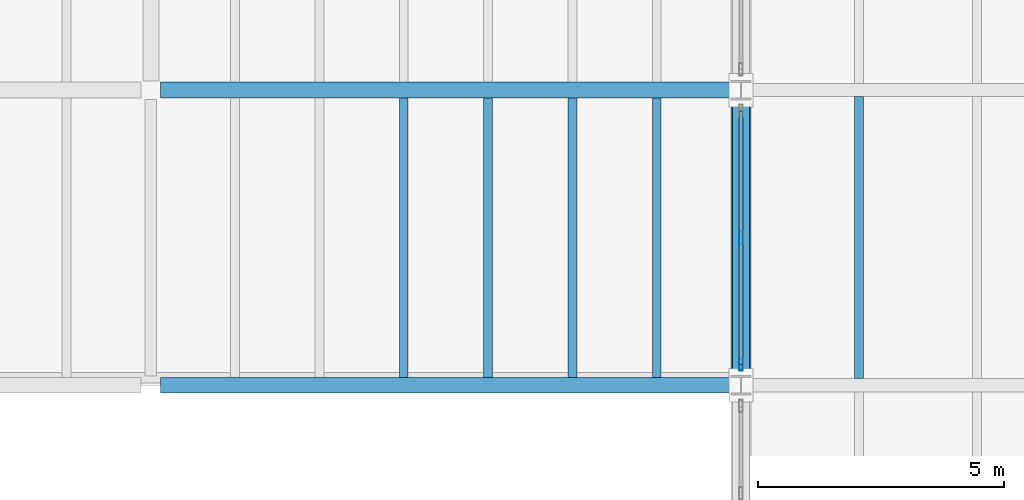
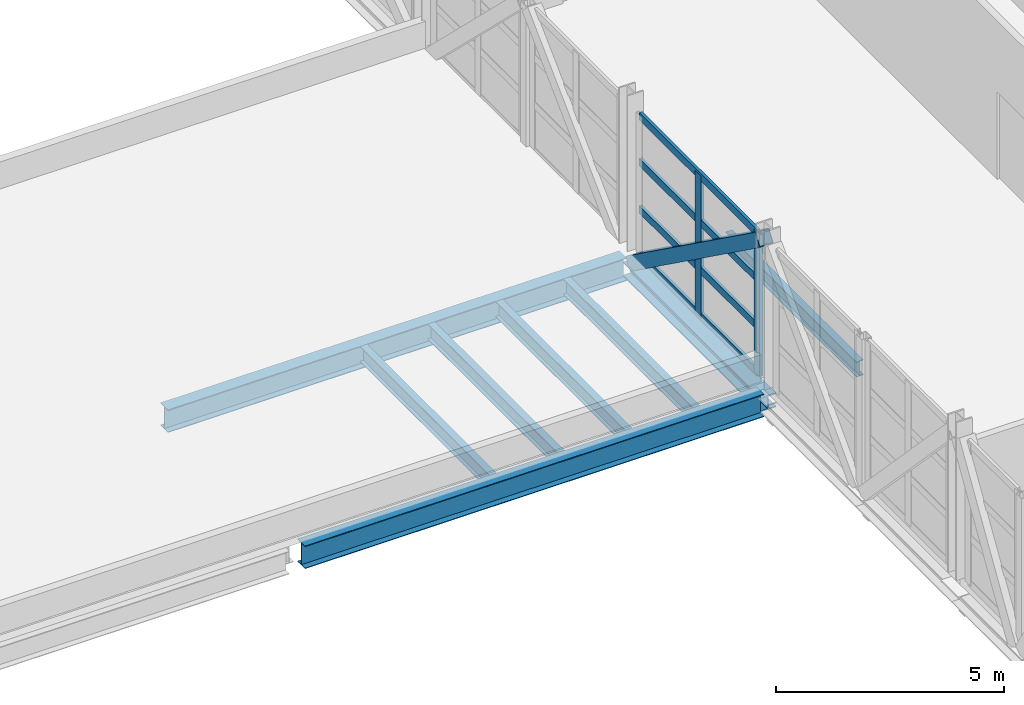
# One storey, part 10 of 63: 8 beams, 7 members, 1 element without a shape of its own.
"""IFC4 building model written with IfcOpenShell, lengths in metres."""

import ifcopenshell
import ifcopenshell.guid

model = None  # the IFC model being written
_history = None  # IfcOwnerHistory: only IFC2X3 demands one
_inside = {}  # id of a spatial element -> (the spatial element, [elements in it])
_under = {}  # id of a project, library or spatial element -> (it, [spatial elements below it])
_declared = {}  # id of a project -> (the project, [libraries it declares])
_typed = {}  # id of a type object -> (the type object, [elements of that type])
_made_of = {}  # id of a material, layer set ... -> (it, [elements and type objects made of it])


def new_model(schema):
    """Start an empty IFC model of exactly this schema.

    Asked for "IFC4X3", IfcOpenShell would pick the latest addendum, in which some entities
    have other attributes; the version numbers below select the first issue.
    IFC2X3 requires an IfcOwnerHistory on every rooted entity: one is made here for all.
    """
    global model, _history
    if schema == "IFC4X3":
        model = ifcopenshell.file(schema_version=(4, 3, 0, 0))
    else:
        model = ifcopenshell.file(schema=schema)
    _inside.clear()
    _under.clear()
    _declared.clear()
    _typed.clear()
    _made_of.clear()
    _history = None
    if model.schema == "IFC2X3":
        org = make("IfcOrganization", Name="unknown")
        user = make(
            "IfcPersonAndOrganization",
            ThePerson=make("IfcPerson", FamilyName="unknown"),
            TheOrganization=org,
        )
        app = make(
            "IfcApplication",
            ApplicationDeveloper=org,
            Version="unknown",
            ApplicationFullName="unknown",
            ApplicationIdentifier="unknown",
        )
        _history = make(
            "IfcOwnerHistory",
            OwningUser=user,
            OwningApplication=app,
            ChangeAction="ADDED",
            CreationDate=0,
        )
    return model


def make(cls, **values):
    """One entity of the class cls with the attributes given. An attribute that is None is left unset."""
    return model.create_entity(
        cls, **{name: value for name, value in values.items() if value is not None}
    )


def rooted(cls, **values):
    """An entity with a GlobalId (a new one), such as an element, a storey or a relation."""
    return make(cls, GlobalId=ifcopenshell.guid.new(), OwnerHistory=_history, **values)


def si_unit(unit_type, name, prefix=None):
    """IfcSIUnit, for example si_unit("LENGTHUNIT", "METRE", prefix="MILLI")."""
    return make("IfcSIUnit", UnitType=unit_type, Prefix=prefix, Name=name)


def assignment(units):
    """IfcUnitAssignment: the units of a project."""
    return None if units is None else make("IfcUnitAssignment", Units=units)


def point(xyz):
    """IfcCartesianPoint."""
    return None if xyz is None else make("IfcCartesianPoint", Coordinates=xyz)


def direction(xyz):
    """IfcDirection."""
    return None if xyz is None else make("IfcDirection", DirectionRatios=xyz)


def frame(location, z_axis=None, x_axis=None):
    """IfcAxis2Placement3D, a coordinate frame: its origin and axes. An axis left out is left unset."""
    return make(
        "IfcAxis2Placement3D",
        Location=point(location),
        Axis=direction(z_axis),
        RefDirection=direction(x_axis),
    )


def frame_2d(location, x_axis=None):
    """IfcAxis2Placement2D, a coordinate frame in the plane: its origin and x axis."""
    return make(
        "IfcAxis2Placement2D", Location=point(location), RefDirection=direction(x_axis)
    )


def origin():
    """The frame at (0, 0, 0) with its axes left unset."""
    return frame((0.0, 0.0, 0.0))


def origin_2d():
    """The frame at (0, 0) in the plane with its x axis left unset."""
    return frame_2d((0.0, 0.0))


def place(relative_to, where):
    """IfcLocalPlacement: puts the frame where relative to a parent placement (None: the world)."""
    return make(
        "IfcLocalPlacement", PlacementRelTo=relative_to, RelativePlacement=where
    )


def context(
    kind, dimensions, precision=None, world=None, true_north=None, identifier=None
):
    """IfcGeometricRepresentationContext, for example the 3D "Model" context."""
    return make(
        "IfcGeometricRepresentationContext",
        ContextIdentifier=identifier,
        ContextType=kind,
        CoordinateSpaceDimension=dimensions,
        Precision=precision,
        WorldCoordinateSystem=world,
        TrueNorth=true_north,
    )


def subcontext(parent, identifier, kind, view, scale=None):
    """IfcGeometricRepresentationSubContext, for example "Body" below "Model"."""
    return make(
        "IfcGeometricRepresentationSubContext",
        ContextIdentifier=identifier,
        ContextType=kind,
        ParentContext=parent,
        TargetScale=scale,
        TargetView=view,
    )


def project(units=None, contexts=None):
    """IfcProject with its units and contexts."""
    return rooted(
        "IfcProject",
        Name="project",
        RepresentationContexts=contexts,
        UnitsInContext=assignment(units),
    )


def spatial(cls, under=None, at=None, **own):
    """A site, building, storey or space (cls), placed at a placement, below another one or the project."""
    s = rooted(cls, ObjectPlacement=at, **own)
    if under is not None:
        _under.setdefault(under.id(), (under, []))[1].append(s)
    return s


def profile(cls, at=None, kind="AREA", **sizes):
    """A parametric profile (cls). Its sizes go by their IFC names, for example OverallWidth=200.0."""
    return make(cls, ProfileType=kind, Position=at, **sizes)


def hollow_rectangle(**sizes):
    """IfcRectangleHollowProfileDef."""
    return profile("IfcRectangleHollowProfileDef", **sizes)


def i_section(**sizes):
    """IfcIShapeProfileDef."""
    return profile("IfcIShapeProfileDef", **sizes)


def extrude(swept, where, along, depth):
    """IfcExtrudedAreaSolid: the profile swept, set in the frame where, extruded along a direction by depth."""
    return make(
        "IfcExtrudedAreaSolid",
        SweptArea=swept,
        Position=where,
        ExtrudedDirection=direction(along),
        Depth=depth,
    )


def shape(context_of_items, identifier, shape_type, items):
    """IfcShapeRepresentation: the items that make up one representation, for example the "Body"."""
    return make(
        "IfcShapeRepresentation",
        ContextOfItems=context_of_items,
        RepresentationIdentifier=identifier,
        RepresentationType=shape_type,
        Items=items,
    )


def material(Name=None, Category=None):
    """IfcMaterial."""
    return make("IfcMaterial", Name=Name, Category=Category)


def material_profile(
    of_material, cross_section, Name=None, Category=None, Priority=None
):
    """IfcMaterialProfile: a cross section and its material."""
    return make(
        "IfcMaterialProfile",
        Name=Name,
        Material=of_material,
        Profile=cross_section,
        Priority=Priority,
        Category=Category,
    )


def profile_set(profiles, Name=None, composite=None):
    """IfcMaterialProfileSet."""
    return make(
        "IfcMaterialProfileSet",
        Name=Name,
        MaterialProfiles=profiles,
        CompositeProfile=composite,
    )


def made_of(thing, what):
    """Note that an element or type object is made of a material, layer set ...; save() writes the relation."""
    if what is not None:
        _made_of.setdefault(what.id(), (what, []))[1].append(thing)
    return thing


def type_object(cls, material=None, **own):
    """A type object (cls), such as IfcWallType, which elements share."""
    return made_of(rooted(cls, **own), material)


def element(
    cls,
    number,
    at=None,
    inside=None,
    cuts=None,
    type_object=None,
    material=None,
    context=None,
    identifier="Body",
    shape_type=None,
    held_by="IfcProductDefinitionShape",
    body=None,
    shapes=None,
    **own,
):
    """One element of the class cls, such as IfcWall. Its Tag is "e" and its number.

    at: its placement. inside: the storey or other place that contains it. cuts: it is an
    opening in that element (IfcRelVoidsElement). A single representation is given by context,
    identifier, shape_type and body (its items); several are given by shapes. held_by: the class
    of the entity that holds the representations. save() writes the other relations.
    """
    e = rooted(cls, Tag="e%d" % number, ObjectPlacement=at, **own)
    if body is not None:
        shapes = [shape(context, identifier, shape_type, body)]
    if shapes is not None:
        e.Representation = make(held_by, Representations=shapes)
    if inside is not None:
        _inside.setdefault(inside.id(), (inside, []))[1].append(e)
    if cuts is not None:
        rooted(
            "IfcRelVoidsElement", RelatingBuildingElement=cuts, RelatedOpeningElement=e
        )
    if type_object is not None:
        _typed.setdefault(type_object.id(), (type_object, []))[1].append(e)
    return made_of(e, material)


def aggregate(whole, parts):
    """IfcRelAggregates: a whole, such as a stair, and the parts it consists of."""
    return rooted("IfcRelAggregates", RelatingObject=whole, RelatedObjects=parts)


def save(model, path):
    """Write the relations noted so far, then the file.

    IfcRelAggregates (storeys below a building ...), IfcRelContainedInSpatialStructure (elements
    in a storey), IfcRelDefinesByType, IfcRelAssociatesMaterial and IfcRelDeclares: one each for
    every whole, place, type object, material and project.
    """
    for whole, parts in _under.values():
        aggregate(whole, parts)
    for where, things in _inside.values():
        rooted(
            "IfcRelContainedInSpatialStructure",
            RelatedElements=things,
            RelatingStructure=where,
        )
    for kind, things in _typed.values():
        rooted("IfcRelDefinesByType", RelatedObjects=things, RelatingType=kind)
    for what, things in _made_of.values():
        rooted("IfcRelAssociatesMaterial", RelatedObjects=things, RelatingMaterial=what)
    for by, libraries in _declared.values():
        rooted("IfcRelDeclares", RelatingContext=by, RelatedDefinitions=libraries)
    model.write(path)


model = new_model("IFC4")

# Units and contexts
model_context = context("Model", 3, precision=1e-05, world=origin(), true_north=direction((0.0, 1.0)))
body_context = subcontext(model_context, "Body", "Model", "MODEL_VIEW")
ifc_project = project(units=[si_unit("LENGTHUNIT", "METRE"), si_unit("AREAUNIT", "SQUARE_METRE"), si_unit("VOLUMEUNIT", "CUBIC_METRE"), si_unit("PLANEANGLEUNIT", "RADIAN"), si_unit("MASSUNIT", "GRAM", prefix="KILO")], contexts=[model_context])

# Site, building, storey
site_placement = place(None, origin())
site = spatial("IfcSite", under=ifc_project, at=site_placement, CompositionType="ELEMENT")
building_placement = place(site_placement, origin())
building = spatial("IfcBuilding", under=site, at=building_placement, Name="Kelmvaro Bay Concert Hall", CompositionType="ELEMENT")
storey_placement = place(building_placement, frame((0.0, 0.0, 13.800048828125)))
storey = spatial("IfcBuildingStorey", under=building, at=storey_placement, Name="L03", CompositionType="ELEMENT", Elevation=13.800048828125)

# Beam
ifc_material_1 = material(Name="Steel ASTM A992 Grade 50", Category="steel")
ifc_material_profile_1 = material_profile(ifc_material_1, i_section(OverallWidth=0.177978515625, OverallDepth=0.406005859375, WebThickness=0.0078125, FlangeThickness=0.0126953125, at=origin_2d()), Name="W16X40")
ifc_profile_set_1 = profile_set([ifc_material_profile_1], Name="Steel ASTM A992 Grade 50")
beam_type_1 = type_object("IfcBeamType", Name="Bridge Deck Floor Joist W16x40", PredefinedType="JOIST", material=ifc_profile_set_1)
beam_1_placement = place(storey_placement, frame((122.39990234375, 24.133544921875, -0.532958984375), z_axis=(0.0, 1.0, 0.0), x_axis=(-1.0, 0.0, 0.0)))
element("IfcBeam", 1, at=beam_1_placement, inside=storey, type_object=beam_type_1, Name="Bridge Deck Joist L03-06", PredefinedType="JOIST", context=body_context, shape_type="SweptSolid", body=[
    extrude(i_section(OverallWidth=0.177978515625, OverallDepth=0.406005859375, WebThickness=0.0078125, FlangeThickness=0.0126953125, at=origin_2d()), origin(), (0.0, 0.0, 1.0), 5.73291015625),
])

# Curtain wall, members
ifc_material_2 = material(Name="Anodised Aluminium and Low-E Insulated Glazing", Category="aluminium")
curtain_wall_type = type_object("IfcCurtainWallType", Name="Rehearsal Bridge Truss Curtain Wall 4020", PredefinedType="USERDEFINED", material=ifc_material_2)
curtain_wall_placement = place(storey_placement, origin())
curtain_wall = element("IfcCurtainWall", 2, at=curtain_wall_placement, inside=storey, type_object=curtain_wall_type, Name="Unitised Curtain Wall CW-BRG-W06", ObjectType="UNITISED GLAZING", PredefinedType="USERDEFINED")
ifc_material_3 = material(Name="Anodised Extruded Aluminium 6063-T6", Category="aluminium")
ifc_material_profile_2 = material_profile(ifc_material_3, hollow_rectangle(XDim=0.080078125, YDim=0.25, WallThickness=0.005615234375, at=origin_2d()), Name="ALU-MUL-250X80")
ifc_profile_set_2 = profile_set([ifc_material_profile_2], Name="Anodised Extruded Aluminium 6063-T6")
member_type_1 = type_object("IfcMemberType", Name="Bridge Hurricane Mullion ALU 250x80", PredefinedType="MULLION", material=ifc_profile_set_2)
member_1_placement = place(storey_placement, frame((120.0, 24.419921875, 0.0), z_axis=(0.0, 0.0, 1.0), x_axis=(1.0, 0.0, 0.0)))
member_1 = element("IfcMember", 3, at=member_1_placement, type_object=member_type_1, Name="CW-BRG-W06 Mullion 01", PredefinedType="MULLION", context=body_context, shape_type="SweptSolid", body=[
    extrude(hollow_rectangle(XDim=0.080078125, YDim=0.25, WallThickness=0.005615234375, at=origin_2d()), origin(), (0.0, 0.0, 1.0), 3.800048828125),
])
member_2_placement = place(storey_placement, frame((120.0, 27.0, 0.0), z_axis=(0.0, 0.0, 1.0), x_axis=(1.0, 0.0, 0.0)))
member_2 = element("IfcMember", 4, at=member_2_placement, type_object=member_type_1, Name="CW-BRG-W06 Mullion 02", PredefinedType="MULLION", context=body_context, shape_type="SweptSolid", body=[
    extrude(hollow_rectangle(XDim=0.080078125, YDim=0.25, WallThickness=0.005615234375, at=origin_2d()), origin(), (0.0, 0.0, 1.0), 3.800048828125),
])
ifc_material_4 = material(Name="Anodised Extruded Aluminium 6063-T6", Category="aluminium")
ifc_material_profile_3 = material_profile(ifc_material_4, hollow_rectangle(XDim=0.074951171875, YDim=0.199951171875, WallThickness=0.0048828125, at=origin_2d()), Name="ALU-TRN-200X75")
ifc_profile_set_3 = profile_set([ifc_material_profile_3], Name="Anodised Extruded Aluminium 6063-T6")
member_type_2 = type_object("IfcMemberType", Name="Bridge Hurricane Transom ALU 200x75", PredefinedType="USERDEFINED", material=ifc_profile_set_3)
member_3_placement = place(storey_placement, frame((120.0, 24.419921875, 0.0400390625), z_axis=(0.0, 1.0, 0.0), x_axis=(-1.0, 0.0, 0.0)))
member_3 = element("IfcMember", 5, at=member_3_placement, type_object=member_type_2, Name="CW-BRG-W06 Transom 01", ObjectType="TRANSOM", PredefinedType="USERDEFINED", context=body_context, shape_type="SweptSolid", body=[
    extrude(hollow_rectangle(XDim=0.074951171875, YDim=0.199951171875, WallThickness=0.0048828125, at=origin_2d()), origin(), (0.0, 0.0, 1.0), 5.16015625),
])
member_4_placement = place(storey_placement, frame((120.0, 24.419921875, 1.2666015625), z_axis=(0.0, 1.0, 0.0), x_axis=(-1.0, 0.0, 0.0)))
member_4 = element("IfcMember", 6, at=member_4_placement, type_object=member_type_2, Name="CW-BRG-W06 Transom 02", ObjectType="TRANSOM", PredefinedType="USERDEFINED", context=body_context, shape_type="SweptSolid", body=[
    extrude(hollow_rectangle(XDim=0.074951171875, YDim=0.199951171875, WallThickness=0.0048828125, at=origin_2d()), origin(), (0.0, 0.0, 1.0), 5.16015625),
])
member_5_placement = place(storey_placement, frame((120.0, 24.419921875, 2.533203125), z_axis=(0.0, 1.0, 0.0), x_axis=(-1.0, 0.0, 0.0)))
member_5 = element("IfcMember", 7, at=member_5_placement, type_object=member_type_2, Name="CW-BRG-W06 Transom 03", ObjectType="TRANSOM", PredefinedType="USERDEFINED", context=body_context, shape_type="SweptSolid", body=[
    extrude(hollow_rectangle(XDim=0.074951171875, YDim=0.199951171875, WallThickness=0.0048828125, at=origin_2d()), origin(), (0.0, 0.0, 1.0), 5.16015625),
])
member_6_placement = place(storey_placement, frame((120.0, 24.419921875, 3.760009765625), z_axis=(0.0, 1.0, 0.0), x_axis=(-1.0, 0.0, 0.0)))
member_6 = element("IfcMember", 8, at=member_6_placement, type_object=member_type_2, Name="CW-BRG-W06 Transom 04", ObjectType="TRANSOM", PredefinedType="USERDEFINED", context=body_context, shape_type="SweptSolid", body=[
    extrude(hollow_rectangle(XDim=0.074951171875, YDim=0.199951171875, WallThickness=0.0048828125, at=origin_2d()), origin(), (0.0, 0.0, 1.0), 5.16015625),
])
aggregate(curtain_wall, [member_1, member_2, member_3, member_4, member_5, member_6])

# Member
ifc_material_5 = material(Name="Steel ASTM A500 Grade C", Category="steel")
ifc_material_profile_4 = material_profile(ifc_material_5, hollow_rectangle(XDim=0.35009765625, YDim=0.35009765625, WallThickness=0.01611328125, at=origin_2d()), Name="HSS350X350X16")
ifc_profile_set_4 = profile_set([ifc_material_profile_4], Name="Steel ASTM A500 Grade C")
member_type_3 = type_object("IfcMemberType", Name="Bridge Standard Web Diagonal HSS350x350x16", PredefinedType="BRACE", material=ifc_profile_set_4)
member_7_placement = place(storey_placement, frame((120.0, 24.159423828125, 3.786865234375), z_axis=(0.0, 0.812037077048, -0.583605847725), x_axis=(-1.0, 0.0, 0.0)))
element("IfcMember", 9, at=member_7_placement, inside=storey, type_object=member_type_3, Name="Bridge Truss W Web Diagonal 06", PredefinedType="BRACE", context=body_context, shape_type="SweptSolid", body=[
    extrude(hollow_rectangle(XDim=0.35009765625, YDim=0.35009765625, WallThickness=0.01611328125, at=origin_2d()), origin(), (0.0, 0.0, 1.0), 6.99609375),
])

# Beams
ifc_material_6 = material(Name="Steel ASTM A992 Grade 50", Category="steel")
ifc_material_profile_5 = material_profile(ifc_material_6, i_section(OverallWidth=0.39892578125, OverallDepth=0.385986328125, WebThickness=0.02099609375, FlangeThickness=0.033203125, at=origin_2d()), Name="W14X176")
ifc_profile_set_5 = profile_set([ifc_material_profile_5], Name="Steel ASTM A992 Grade 50")
beam_type_2 = type_object("IfcBeamType", Name="Bridge Truss Bottom Chord W14x176", PredefinedType="BEAM", material=ifc_profile_set_5)
beam_2_placement = place(storey_placement, frame((120.0, 24.0, -0.52294921875), z_axis=(0.0, 1.0, 0.0), x_axis=(-1.0, 0.0, 0.0)))
element("IfcBeam", 10, at=beam_2_placement, inside=storey, type_object=beam_type_2, Name="Bridge Truss W Bottom Chord 06", PredefinedType="BEAM", context=body_context, shape_type="SweptSolid", body=[
    extrude(i_section(OverallWidth=0.39892578125, OverallDepth=0.385986328125, WebThickness=0.02099609375, FlangeThickness=0.033203125, at=origin_2d()), origin(), (0.0, 0.0, 1.0), 6.0),
])
ifc_material_7 = material(Name="Steel ASTM A992 Grade 50", Category="steel")
ifc_material_profile_6 = material_profile(ifc_material_7, i_section(OverallWidth=0.323974609375, OverallDepth=0.611083984375, WebThickness=0.0126953125, FlangeThickness=0.01904296875, at=origin_2d()), Name="W24X104")
ifc_profile_set_6 = profile_set([ifc_material_profile_6], Name="Steel ASTM A992 Grade 50")
beam_type_3 = type_object("IfcBeamType", Name="Foyer Frame Girder W24x104", PredefinedType="BEAM", material=ifc_profile_set_6)
for number, where, z_axis, x_axis, name in (
    (11, (108.197998046875, 24.0, -0.435546875), (1.0, 0.0, 0.0), (0.0, 1.0, 0.0), "L03 Girder BM-L03-EW-1344"),
    (12, (108.197998046875, 30.0, -0.435546875), (1.0, 0.0, 0.0), (0.0, 1.0, 0.0), "L03 Girder BM-L03-EW-1353"),
):
    element("IfcBeam", number, at=place(storey_placement, frame(where, z_axis=z_axis, x_axis=x_axis)), inside=storey, type_object=beam_type_3, Name=name, PredefinedType="BEAM", context=body_context, shape_type="SweptSolid", body=[
        extrude(i_section(OverallWidth=0.323974609375, OverallDepth=0.611083984375, WebThickness=0.0126953125, FlangeThickness=0.01904296875, at=origin_2d()), origin(), (0.0, 0.0, 1.0), 11.6015625),
    ])
ifc_material_8 = material(Name="Steel ASTM A992 Grade 50", Category="steel")
ifc_material_profile_7 = material_profile(ifc_material_8, i_section(OverallWidth=0.179931640625, OverallDepth=0.4140625, WebThickness=0.009765625, FlangeThickness=0.01611328125, at=origin_2d()), Name="W16X50")
ifc_profile_set_7 = profile_set([ifc_material_profile_7], Name="Steel ASTM A992 Grade 50")
beam_type_4 = type_object("IfcBeamType", Name="Terrace Composite Joist W16x50", PredefinedType="JOIST", material=ifc_profile_set_7)
for number, where, z_axis, x_axis, name in (
    (13, (113.142822265625, 24.162109375, -0.337158203125), (0.0, 1.0, 0.0), (-1.0, 0.0, 0.0), "L03 Floor Joist JST-L03-1522"),
    (14, (114.857177734375, 24.162109375, -0.337158203125), (0.0, 1.0, 0.0), (-1.0, 0.0, 0.0), "L03 Floor Joist JST-L03-1523"),
    (15, (116.5712890625, 24.162109375, -0.337158203125), (0.0, 1.0, 0.0), (-1.0, 0.0, 0.0), "L03 Floor Joist JST-L03-1524"),
    (16, (118.28564453125, 24.162109375, -0.337158203125), (0.0, 1.0, 0.0), (-1.0, 0.0, 0.0), "L03 Floor Joist JST-L03-1525"),
):
    element("IfcBeam", number, at=place(storey_placement, frame(where, z_axis=z_axis, x_axis=x_axis)), inside=storey, type_object=beam_type_4, Name=name, PredefinedType="JOIST", context=body_context, shape_type="SweptSolid", body=[
        extrude(i_section(OverallWidth=0.179931640625, OverallDepth=0.4140625, WebThickness=0.009765625, FlangeThickness=0.01611328125, at=origin_2d()), origin(), (0.0, 0.0, 1.0), 5.67578125),
    ])

save(model, "model.ifc")
